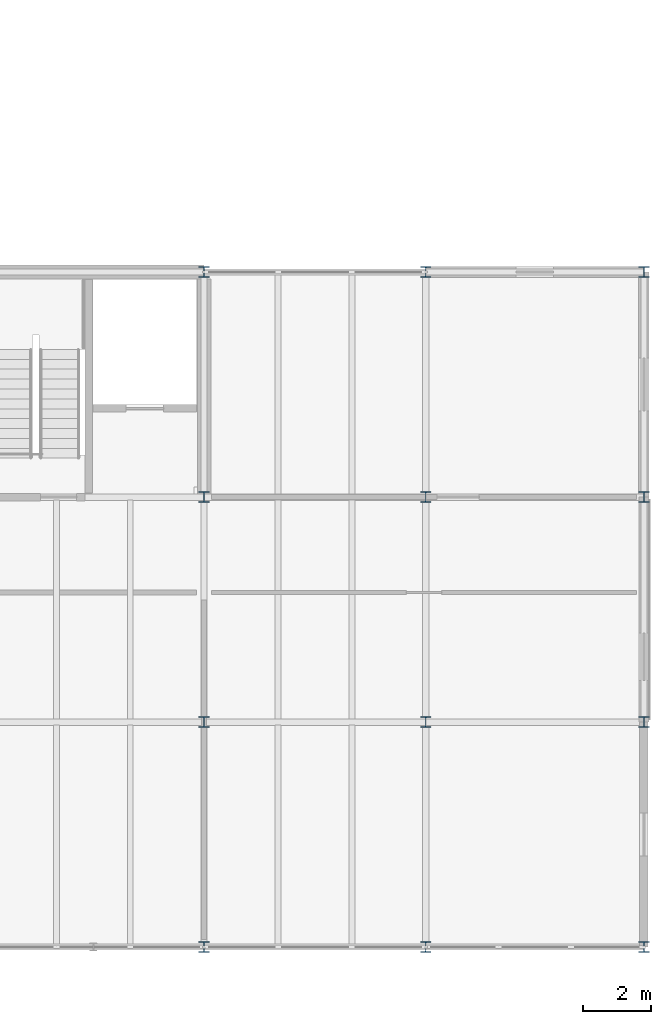
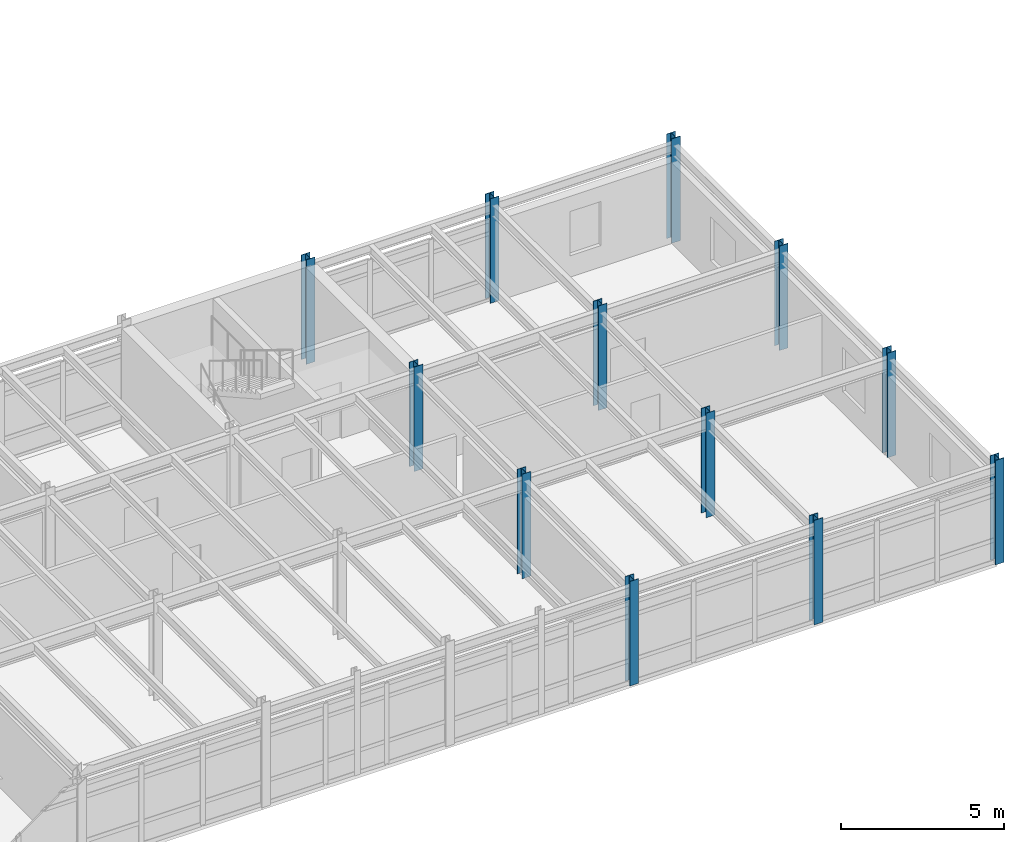
# One storey, part 11 of 57: 12 columns.
"""IFC4 building model written with IfcOpenShell, lengths in metres."""

from ifc_helpers import new_model, si_unit, direction, frame, origin, origin_2d, place, context, subcontext, project, spatial, i_section, extrude, material, material_profile, profile_set, type_object, element, save


model = new_model("IFC4")

# Units and contexts
model_context = context("Model", 3, precision=1e-05, world=origin(), true_north=direction((0.0, 1.0)))
body_context = subcontext(model_context, "Body", "Model", "MODEL_VIEW")
ifc_project = project(units=[si_unit("LENGTHUNIT", "METRE"), si_unit("AREAUNIT", "SQUARE_METRE"), si_unit("VOLUMEUNIT", "CUBIC_METRE"), si_unit("PLANEANGLEUNIT", "RADIAN"), si_unit("MASSUNIT", "GRAM", prefix="KILO")], contexts=[model_context])

# Site, building, storey
site_placement = place(None, origin())
site = spatial("IfcSite", under=ifc_project, at=site_placement, CompositionType="ELEMENT")
building_placement = place(site_placement, origin())
building = spatial("IfcBuilding", under=site, at=building_placement, Name="Trelmorton Wharf Fire Station", CompositionType="ELEMENT")
storey_placement = place(building_placement, frame((0.0, 0.0, 13.5)))
storey = spatial("IfcBuildingStorey", under=building, at=storey_placement, Name="L03", CompositionType="ELEMENT", Elevation=13.5)

# Columns
ifc_material = material(Name="Steel Grade 350", Category="steel")
ifc_material_profile = material_profile(ifc_material, i_section(OverallWidth=0.306884765625, OverallDepth=0.31494140625, WebThickness=0.011962890625, FlangeThickness=0.018798828125, FilletRadius=0.0166015625, at=origin_2d()), Name="310UC118")
ifc_profile_set = profile_set([ifc_material_profile], Name="Steel Grade 350")
column_type = type_object("IfcColumnType", Name="COL_310UC118", PredefinedType="COLUMN", material=ifc_profile_set)
for number, where, z_axis, x_axis, name in (
    (1, (149.5, 7.800048828125, 0.0), (0.0, 0.0, 1.0), (1.0, 0.0, 0.0), "COL-L03-0672"),
    (2, (149.5, 14.39990234375, 0.0), (0.0, 0.0, 1.0), (1.0, 0.0, 0.0), "COL-L03-0673"),
    (3, (149.5, 21.0, 0.0), (0.0, 0.0, 1.0), (1.0, 0.0, 0.0), "COL-L03-0674"),
    (4, (149.5, 27.60009765625, 0.0), (0.0, 0.0, 1.0), (1.0, 0.0, 0.0), "COL-L03-0675"),
    (5, (156.0, 7.800048828125, 0.0), (0.0, 0.0, 1.0), (1.0, 0.0, 0.0), "COL-L03-0680"),
    (6, (156.0, 14.39990234375, 0.0), (0.0, 0.0, 1.0), (1.0, 0.0, 0.0), "COL-L03-0681"),
    (7, (156.0, 21.0, 0.0), (0.0, 0.0, 1.0), (1.0, 0.0, 0.0), "COL-L03-0682"),
    (8, (156.0, 27.60009765625, 0.0), (0.0, 0.0, 1.0), (1.0, 0.0, 0.0), "COL-L03-0683"),
    (9, (162.39990234375, 7.800048828125, 0.0), (0.0, 0.0, 1.0), (1.0, 0.0, 0.0), "COL-L03-0688"),
    (10, (162.39990234375, 14.39990234375, 0.0), (0.0, 0.0, 1.0), (1.0, 0.0, 0.0), "COL-L03-0689"),
    (11, (162.39990234375, 21.0, 0.0), (0.0, 0.0, 1.0), (1.0, 0.0, 0.0), "COL-L03-0690"),
    (12, (162.39990234375, 27.60009765625, 0.0), (0.0, 0.0, 1.0), (1.0, 0.0, 0.0), "COL-L03-0691"),
):
    element("IfcColumn", number, at=place(storey_placement, frame(where, z_axis=z_axis, x_axis=x_axis)), inside=storey, type_object=column_type, Name=name, PredefinedType="COLUMN", context=body_context, shape_type="SweptSolid", body=[
        extrude(i_section(OverallWidth=0.306884765625, OverallDepth=0.31494140625, WebThickness=0.011962890625, FlangeThickness=0.018798828125, FilletRadius=0.0166015625, at=origin_2d()), origin(), (0.0, 0.0, 1.0), 3.89990234375),
    ])

save(model, "model.ifc")
